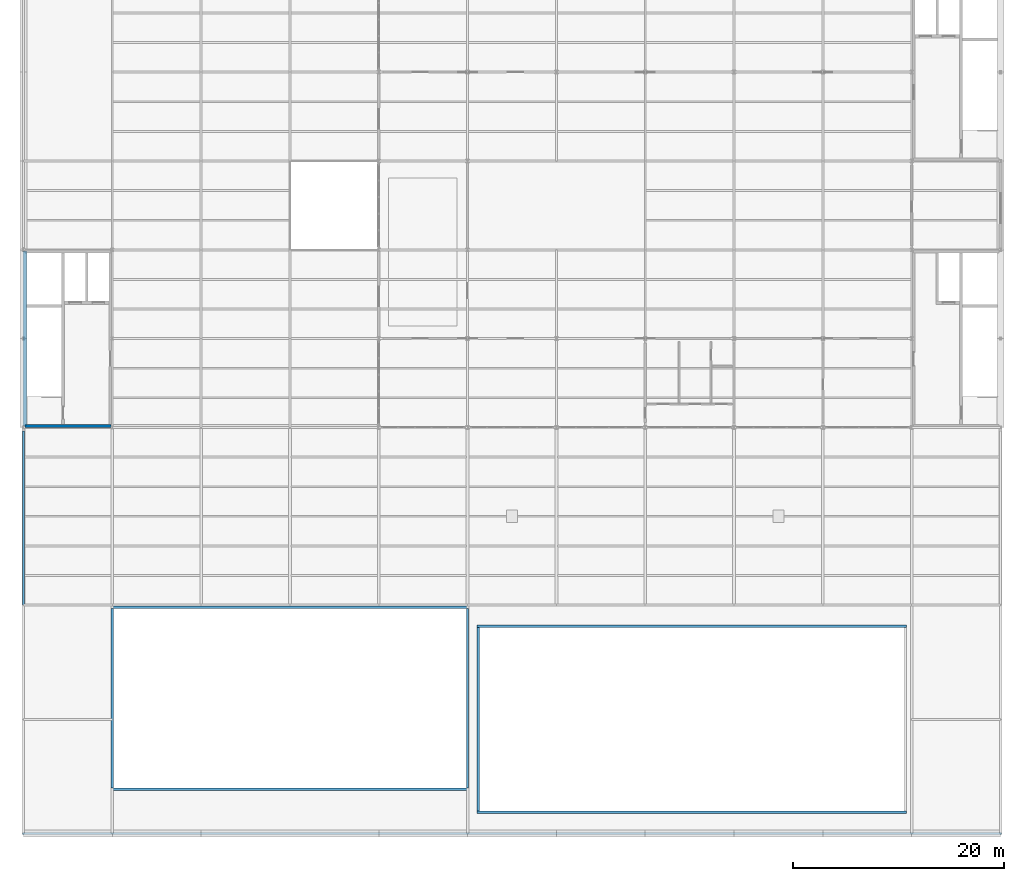
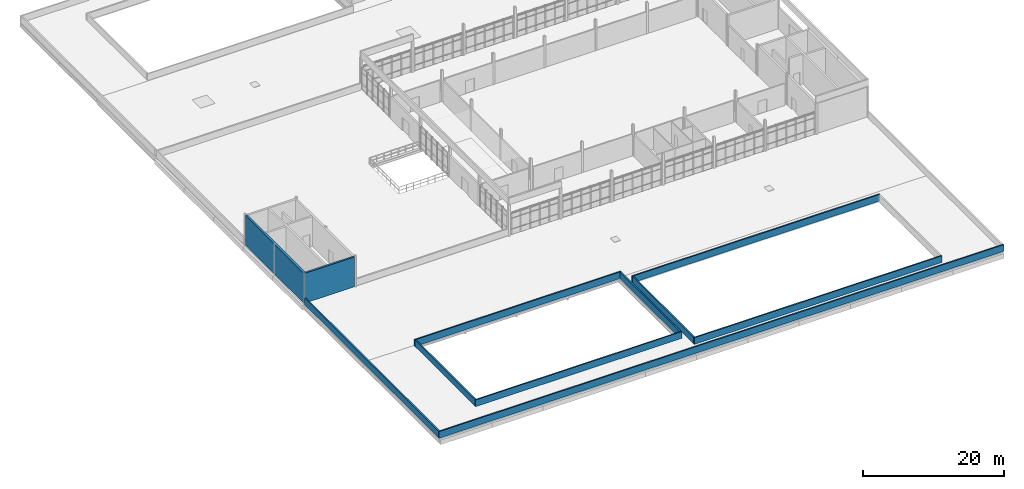
# One storey, part 28 of 33: 11 walls.
"""IFC4 building model written with IfcOpenShell, lengths in metres."""

import ifcopenshell
import ifcopenshell.guid

model = None  # the IFC model being written
_history = None  # IfcOwnerHistory: only IFC2X3 demands one
_inside = {}  # id of a spatial element -> (the spatial element, [elements in it])
_under = {}  # id of a project, library or spatial element -> (it, [spatial elements below it])
_declared = {}  # id of a project -> (the project, [libraries it declares])
_typed = {}  # id of a type object -> (the type object, [elements of that type])
_made_of = {}  # id of a material, layer set ... -> (it, [elements and type objects made of it])


def new_model(schema):
    """Start an empty IFC model of exactly this schema.

    Asked for "IFC4X3", IfcOpenShell would pick the latest addendum, in which some entities
    have other attributes; the version numbers below select the first issue.
    IFC2X3 requires an IfcOwnerHistory on every rooted entity: one is made here for all.
    """
    global model, _history
    if schema == "IFC4X3":
        model = ifcopenshell.file(schema_version=(4, 3, 0, 0))
    else:
        model = ifcopenshell.file(schema=schema)
    _inside.clear()
    _under.clear()
    _declared.clear()
    _typed.clear()
    _made_of.clear()
    _history = None
    if model.schema == "IFC2X3":
        org = make("IfcOrganization", Name="unknown")
        user = make(
            "IfcPersonAndOrganization",
            ThePerson=make("IfcPerson", FamilyName="unknown"),
            TheOrganization=org,
        )
        app = make(
            "IfcApplication",
            ApplicationDeveloper=org,
            Version="unknown",
            ApplicationFullName="unknown",
            ApplicationIdentifier="unknown",
        )
        _history = make(
            "IfcOwnerHistory",
            OwningUser=user,
            OwningApplication=app,
            ChangeAction="ADDED",
            CreationDate=0,
        )
    return model


def make(cls, **values):
    """One entity of the class cls with the attributes given. An attribute that is None is left unset."""
    return model.create_entity(
        cls, **{name: value for name, value in values.items() if value is not None}
    )


def rooted(cls, **values):
    """An entity with a GlobalId (a new one), such as an element, a storey or a relation."""
    return make(cls, GlobalId=ifcopenshell.guid.new(), OwnerHistory=_history, **values)


def si_unit(unit_type, name, prefix=None):
    """IfcSIUnit, for example si_unit("LENGTHUNIT", "METRE", prefix="MILLI")."""
    return make("IfcSIUnit", UnitType=unit_type, Prefix=prefix, Name=name)


def assignment(units):
    """IfcUnitAssignment: the units of a project."""
    return None if units is None else make("IfcUnitAssignment", Units=units)


def point(xyz):
    """IfcCartesianPoint."""
    return None if xyz is None else make("IfcCartesianPoint", Coordinates=xyz)


def direction(xyz):
    """IfcDirection."""
    return None if xyz is None else make("IfcDirection", DirectionRatios=xyz)


def frame(location, z_axis=None, x_axis=None):
    """IfcAxis2Placement3D, a coordinate frame: its origin and axes. An axis left out is left unset."""
    return make(
        "IfcAxis2Placement3D",
        Location=point(location),
        Axis=direction(z_axis),
        RefDirection=direction(x_axis),
    )


def frame_2d(location, x_axis=None):
    """IfcAxis2Placement2D, a coordinate frame in the plane: its origin and x axis."""
    return make(
        "IfcAxis2Placement2D", Location=point(location), RefDirection=direction(x_axis)
    )


def origin():
    """The frame at (0, 0, 0) with its axes left unset."""
    return frame((0.0, 0.0, 0.0))


def place(relative_to, where):
    """IfcLocalPlacement: puts the frame where relative to a parent placement (None: the world)."""
    return make(
        "IfcLocalPlacement", PlacementRelTo=relative_to, RelativePlacement=where
    )


def context(
    kind, dimensions, precision=None, world=None, true_north=None, identifier=None
):
    """IfcGeometricRepresentationContext, for example the 3D "Model" context."""
    return make(
        "IfcGeometricRepresentationContext",
        ContextIdentifier=identifier,
        ContextType=kind,
        CoordinateSpaceDimension=dimensions,
        Precision=precision,
        WorldCoordinateSystem=world,
        TrueNorth=true_north,
    )


def subcontext(parent, identifier, kind, view, scale=None):
    """IfcGeometricRepresentationSubContext, for example "Body" below "Model"."""
    return make(
        "IfcGeometricRepresentationSubContext",
        ContextIdentifier=identifier,
        ContextType=kind,
        ParentContext=parent,
        TargetScale=scale,
        TargetView=view,
    )


def project(units=None, contexts=None):
    """IfcProject with its units and contexts."""
    return rooted(
        "IfcProject",
        Name="project",
        RepresentationContexts=contexts,
        UnitsInContext=assignment(units),
    )


def spatial(cls, under=None, at=None, **own):
    """A site, building, storey or space (cls), placed at a placement, below another one or the project."""
    s = rooted(cls, ObjectPlacement=at, **own)
    if under is not None:
        _under.setdefault(under.id(), (under, []))[1].append(s)
    return s


def profile(cls, at=None, kind="AREA", **sizes):
    """A parametric profile (cls). Its sizes go by their IFC names, for example OverallWidth=200.0."""
    return make(cls, ProfileType=kind, Position=at, **sizes)


def rectangle(**sizes):
    """IfcRectangleProfileDef."""
    return profile("IfcRectangleProfileDef", **sizes)


def extrude(swept, where, along, depth):
    """IfcExtrudedAreaSolid: the profile swept, set in the frame where, extruded along a direction by depth."""
    return make(
        "IfcExtrudedAreaSolid",
        SweptArea=swept,
        Position=where,
        ExtrudedDirection=direction(along),
        Depth=depth,
    )


def shape(context_of_items, identifier, shape_type, items):
    """IfcShapeRepresentation: the items that make up one representation, for example the "Body"."""
    return make(
        "IfcShapeRepresentation",
        ContextOfItems=context_of_items,
        RepresentationIdentifier=identifier,
        RepresentationType=shape_type,
        Items=items,
    )


def material(Name=None, Category=None):
    """IfcMaterial."""
    return make("IfcMaterial", Name=Name, Category=Category)


def layer(
    of_material, thickness, ventilated=None, Name=None, Category=None, Priority=None
):
    """IfcMaterialLayer: one layer of a wall or slab, of a material (None: an air gap)."""
    return make(
        "IfcMaterialLayer",
        Material=of_material,
        LayerThickness=thickness,
        IsVentilated=ventilated,
        Name=Name,
        Category=Category,
        Priority=Priority,
    )


def layer_set(layers, Name=None):
    """IfcMaterialLayerSet."""
    return make("IfcMaterialLayerSet", MaterialLayers=layers, LayerSetName=Name)


def made_of(thing, what):
    """Note that an element or type object is made of a material, layer set ...; save() writes the relation."""
    if what is not None:
        _made_of.setdefault(what.id(), (what, []))[1].append(thing)
    return thing


def type_object(cls, material=None, **own):
    """A type object (cls), such as IfcWallType, which elements share."""
    return made_of(rooted(cls, **own), material)


def element(
    cls,
    number,
    at=None,
    inside=None,
    cuts=None,
    type_object=None,
    material=None,
    context=None,
    identifier="Body",
    shape_type=None,
    held_by="IfcProductDefinitionShape",
    body=None,
    shapes=None,
    **own,
):
    """One element of the class cls, such as IfcWall. Its Tag is "e" and its number.

    at: its placement. inside: the storey or other place that contains it. cuts: it is an
    opening in that element (IfcRelVoidsElement). A single representation is given by context,
    identifier, shape_type and body (its items); several are given by shapes. held_by: the class
    of the entity that holds the representations. save() writes the other relations.
    """
    e = rooted(cls, Tag="e%d" % number, ObjectPlacement=at, **own)
    if body is not None:
        shapes = [shape(context, identifier, shape_type, body)]
    if shapes is not None:
        e.Representation = make(held_by, Representations=shapes)
    if inside is not None:
        _inside.setdefault(inside.id(), (inside, []))[1].append(e)
    if cuts is not None:
        rooted(
            "IfcRelVoidsElement", RelatingBuildingElement=cuts, RelatedOpeningElement=e
        )
    if type_object is not None:
        _typed.setdefault(type_object.id(), (type_object, []))[1].append(e)
    return made_of(e, material)


def aggregate(whole, parts):
    """IfcRelAggregates: a whole, such as a stair, and the parts it consists of."""
    return rooted("IfcRelAggregates", RelatingObject=whole, RelatedObjects=parts)


def save(model, path):
    """Write the relations noted so far, then the file.

    IfcRelAggregates (storeys below a building ...), IfcRelContainedInSpatialStructure (elements
    in a storey), IfcRelDefinesByType, IfcRelAssociatesMaterial and IfcRelDeclares: one each for
    every whole, place, type object, material and project.
    """
    for whole, parts in _under.values():
        aggregate(whole, parts)
    for where, things in _inside.values():
        rooted(
            "IfcRelContainedInSpatialStructure",
            RelatedElements=things,
            RelatingStructure=where,
        )
    for kind, things in _typed.values():
        rooted("IfcRelDefinesByType", RelatedObjects=things, RelatingType=kind)
    for what, things in _made_of.values():
        rooted("IfcRelAssociatesMaterial", RelatedObjects=things, RelatingMaterial=what)
    for by, libraries in _declared.values():
        rooted("IfcRelDeclares", RelatingContext=by, RelatedDefinitions=libraries)
    model.write(path)


model = new_model("IFC4")

# Units and contexts
model_context = context("Model", 3, precision=1e-05, world=origin(), true_north=direction((0.0, 1.0)))
body_context = subcontext(model_context, "Body", "Model", "MODEL_VIEW")
ifc_project = project(units=[si_unit("LENGTHUNIT", "METRE"), si_unit("AREAUNIT", "SQUARE_METRE"), si_unit("VOLUMEUNIT", "CUBIC_METRE"), si_unit("PLANEANGLEUNIT", "RADIAN"), si_unit("MASSUNIT", "GRAM", prefix="KILO"), si_unit("THERMODYNAMICTEMPERATUREUNIT", "KELVIN"), si_unit("POWERUNIT", "WATT")], contexts=[model_context])

# Site, building, storey
site_placement = place(None, origin())
site = spatial("IfcSite", under=ifc_project, at=site_placement, CompositionType="ELEMENT")
building_placement = place(site_placement, origin())
building = spatial("IfcBuilding", under=site, at=building_placement, Name="Tembeka Court Mobility Hub", CompositionType="ELEMENT")
storey_placement = place(building_placement, frame((0.0, 0.0, 23.39990234375)))
storey = spatial("IfcBuildingStorey", under=building, at=storey_placement, Name="L06", CompositionType="ELEMENT", Elevation=23.39990234375)

# Walls
ifc_material_1 = material(Name="Precast concrete C45/55", Category="concrete")
ifc_layer_1 = layer(ifc_material_1, 0.219970703125)
ifc_layer_set_1 = layer_set([ifc_layer_1], Name="Precast concrete C45/55")
wall_type_1 = type_object("IfcWallType", Name="WL-PP01", PredefinedType="PARAPET", material=ifc_layer_set_1)
wall_1_placement = place(storey_placement, frame((-0.110107421875, 0.0, 0.0), z_axis=(0.0, 0.0, 1.0), x_axis=(1.0, 0.0, 0.0)))
element("IfcWall", 1, at=wall_1_placement, inside=storey, type_object=wall_type_1, Name="Roof parapet wall PP01-09", PredefinedType="PARAPET", context=body_context, shape_type="SweptSolid", body=[
    extrude(rectangle(XDim=92.6201171875, YDim=0.219970703125, at=frame_2d((46.31005859375, 0.0))), origin(), (0.0, 0.0, 1.0), 1.150146484375),
])
wall_2_placement = place(storey_placement, frame((0.0, 0.114990234375, 0.0), z_axis=(0.0, 0.0, 1.0), x_axis=(0.0, 1.0, 0.0)))
element("IfcWall", 2, at=wall_2_placement, inside=storey, type_object=wall_type_1, Name="Roof parapet wall PP01-11", PredefinedType="PARAPET", context=body_context, shape_type="SweptSolid", body=[
    extrude(rectangle(XDim=37.969970703125, YDim=0.219970703125, at=frame_2d((18.98486328125, 0.0))), origin(), (0.0, 0.0, 1.0), 1.150146484375),
])
wall_3_placement = place(storey_placement, frame((8.2900390625, 4.199951171875, 0.0), z_axis=(0.0, 0.0, 1.0), x_axis=(1.0, 0.0, 0.0)))
element("IfcWall", 3, at=wall_3_placement, inside=storey, type_object=wall_type_1, Name="Roof parapet wall PP01-18", PredefinedType="PARAPET", context=body_context, shape_type="SweptSolid", body=[
    extrude(rectangle(XDim=33.820068359375, YDim=0.219970703125, at=frame_2d((16.91015625, 0.0))), origin(), (0.0, 0.0, 1.0), 1.150146484375),
])
wall_4_placement = place(storey_placement, frame((42.0, 4.31494140625, 0.0), z_axis=(0.0, 0.0, 1.0), x_axis=(0.0, 1.0, 0.0)))
element("IfcWall", 4, at=wall_4_placement, inside=storey, type_object=wall_type_1, Name="Roof parapet wall PP01-19", PredefinedType="PARAPET", context=body_context, shape_type="SweptSolid", body=[
    extrude(rectangle(XDim=16.969970703125, YDim=0.219970703125, at=frame_2d((8.48486328125, 0.0))), origin(), (0.0, 0.0, 1.0), 1.150146484375),
])
wall_5_placement = place(storey_placement, frame((42.110107421875, 21.39990234375, 0.0), z_axis=(0.0, 0.0, 1.0), x_axis=(-1.0, 0.0, 0.0)))
element("IfcWall", 5, at=wall_5_placement, inside=storey, type_object=wall_type_1, Name="Roof parapet wall PP01-20", PredefinedType="PARAPET", context=body_context, shape_type="SweptSolid", body=[
    extrude(rectangle(XDim=33.820068359375, YDim=0.219970703125, at=frame_2d((16.91015625, 0.0))), origin(), (0.0, 0.0, 1.0), 1.150146484375),
])
wall_6_placement = place(storey_placement, frame((8.39990234375, 21.284912109375, 0.0), z_axis=(0.0, 0.0, 1.0), x_axis=(0.0, -1.0, 0.0)))
element("IfcWall", 6, at=wall_6_placement, inside=storey, type_object=wall_type_1, Name="Roof parapet wall PP01-21", PredefinedType="PARAPET", context=body_context, shape_type="SweptSolid", body=[
    extrude(rectangle(XDim=16.969970703125, YDim=0.219970703125, at=frame_2d((8.48486328125, 0.0))), origin(), (0.0, 0.0, 1.0), 1.150146484375),
])
for number, where, z_axis, x_axis, name in (
    (7, (42.889892578125, 2.0, 0.0), (0.0, 0.0, 1.0), (1.0, 0.0, 0.0), "Roof parapet wall PP01-22"),
    (8, (83.510009765625, 19.60009765625, 0.0), (0.0, 0.0, 1.0), (-1.0, 0.0, 0.0), "Roof parapet wall PP01-24"),
):
    element("IfcWall", number, at=place(storey_placement, frame(where, z_axis=z_axis, x_axis=x_axis)), inside=storey, type_object=wall_type_1, Name=name, PredefinedType="PARAPET", context=body_context, shape_type="SweptSolid", body=[
        extrude(rectangle(XDim=40.6201171875, YDim=0.219970703125, at=frame_2d((20.31005859375, 0.0))), origin(), (0.0, 0.0, 1.0), 1.150146484375),
    ])
wall_7_placement = place(storey_placement, frame((43.0, 19.485107421875, 0.0), z_axis=(0.0, 0.0, 1.0), x_axis=(0.0, -1.0, 0.0)))
element("IfcWall", 9, at=wall_7_placement, inside=storey, type_object=wall_type_1, Name="Roof parapet wall PP01-25", PredefinedType="PARAPET", context=body_context, shape_type="SweptSolid", body=[
    extrude(rectangle(XDim=17.3701171875, YDim=0.219970703125, at=frame_2d((8.68505859375, 0.0))), origin(), (0.0, 0.0, 1.0), 1.150146484375),
])
ifc_material_2 = material(Name="Concrete C40/50", Category="concrete")
ifc_layer_2 = layer(ifc_material_2, 0.300048828125)
ifc_layer_set_2 = layer_set([ifc_layer_2], Name="Concrete C40/50")
wall_type_2 = type_object("IfcWallType", Name="WL-SW01", PredefinedType="SHEAR", material=ifc_layer_set_2)
wall_8_placement = place(storey_placement, frame((0.1259765625, 38.550048828125, 0.0), z_axis=(0.0, 0.0, 1.0), x_axis=(1.0, 0.0, 0.0)))
element("IfcWall", 10, at=wall_8_placement, inside=storey, type_object=wall_type_2, Name="Wall SW01 (IW-L06-0057)", PredefinedType="SHEAR", context=body_context, shape_type="SweptSolid", body=[
    extrude(rectangle(XDim=8.14794921875, YDim=0.300048828125, at=frame_2d((4.073974609375, 0.0))), origin(), (0.0, 0.0, 1.0), 5.170166015625),
])
ifc_layer_3 = layer(ifc_material_2, 0.35009765625)
ifc_layer_set_3 = layer_set([ifc_layer_3], Name="Concrete C40/50")
wall_type_3 = type_object("IfcWallType", Name="WL-SW02", PredefinedType="SHEAR", material=ifc_layer_set_3)
wall_9_placement = place(storey_placement, frame((0.14990234375, 38.528076171875, 0.0), z_axis=(0.0, 0.0, 1.0), x_axis=(0.0, 1.0, 0.0)))
element("IfcWall", 11, at=wall_9_placement, inside=storey, type_object=wall_type_3, Name="Wall SW02 (IW-L06-0060)", PredefinedType="SHEAR", context=body_context, shape_type="SweptSolid", body=[
    extrude(rectangle(XDim=16.5439453125, YDim=0.35009765625, at=frame_2d((8.27197265625, 0.0))), origin(), (0.0, 0.0, 1.0), 5.170166015625),
])

save(model, "model.ifc")
